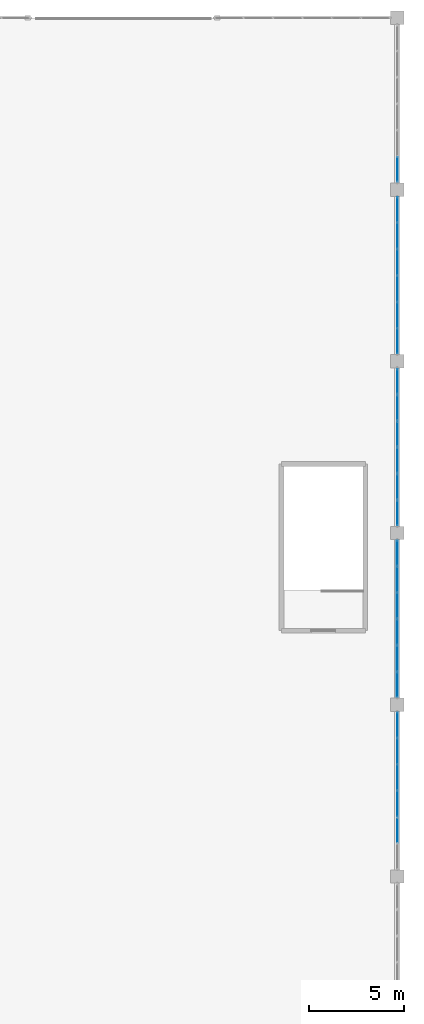
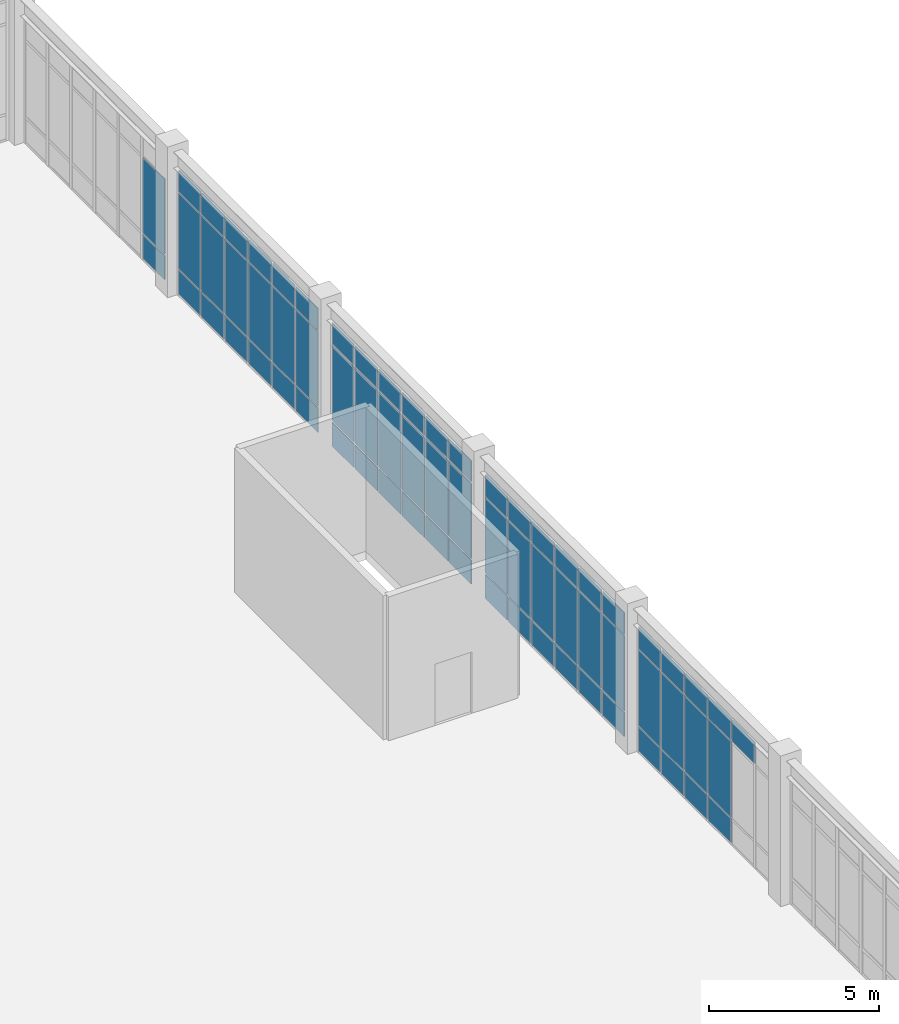
# One storey, part 63 of 80: 69 plates, 5 elements without a shape of their own.
"""IFC4 building model written with IfcOpenShell, lengths in metres."""

from ifc_helpers import new_model, si_unit, direction, frame, origin, origin_2d, place, context, subcontext, project, spatial, rectangle, extrude, material, layer, layer_set, type_object, element, aggregate, save


model = new_model("IFC4")

# Units and contexts
model_context = context("Model", 3, precision=1e-05, world=origin(), true_north=direction((0.0, 1.0)))
body_context = subcontext(model_context, "Body", "Model", "MODEL_VIEW")
ifc_project = project(units=[si_unit("LENGTHUNIT", "METRE"), si_unit("AREAUNIT", "SQUARE_METRE"), si_unit("VOLUMEUNIT", "CUBIC_METRE"), si_unit("PLANEANGLEUNIT", "RADIAN"), si_unit("MASSUNIT", "GRAM", prefix="KILO")], contexts=[model_context])

# Site, building, storey
site_placement = place(None, origin())
site = spatial("IfcSite", under=ifc_project, at=site_placement, CompositionType="ELEMENT")
building_placement = place(site_placement, origin())
building = spatial("IfcBuilding", under=site, at=building_placement, Name="Canglan Escarpment Cableway Terminal", CompositionType="ELEMENT")
storey_placement = place(building_placement, frame((0.0, 0.0, 19.199951171875)))
storey = spatial("IfcBuildingStorey", under=building, at=storey_placement, Name="L04", CompositionType="ELEMENT", Elevation=19.199951171875)

# Curtain wall, plates
ifc_material_1 = material(Name="Anodized bronze aluminium and Low-E double glazing", Category="aluminium")
curtain_wall_type = type_object("IfcCurtainWallType", Name="CW-BAY-8300x4550", PredefinedType="NOTDEFINED", material=ifc_material_1)
curtain_wall_1_placement = place(storey_placement, origin())
curtain_wall_1 = element("IfcCurtainWall", 1, at=curtain_wall_1_placement, inside=storey, type_object=curtain_wall_type, Name="Classical bay-between-piers glazed curtain wall CW-64", PredefinedType="NOTDEFINED")
ifc_material_2 = material(Name="Double-silver Low-E laminated insulating glass", Category="glass")
ifc_layer_1 = layer(ifc_material_2, 0.02392578125, Name="Double-silver Low-E laminated insulating glass")
ifc_layer_set_1 = layer_set([ifc_layer_1], Name="Double-silver Low-E laminated insulating glass")
plate_type_1 = type_object("IfcPlateType", Name="CWP-01", PredefinedType="CURTAIN_PANEL", material=ifc_layer_set_1)
plate_1_placement = place(storey_placement, frame((166.39990234375, 98.057861328125, 0.06494140625), z_axis=(0.0, 0.0, 1.0), x_axis=(0.0, 1.0, 0.0)))
plate_1 = element("IfcPlate", 2, at=plate_1_placement, type_object=plate_type_1, Name="CW-64 panel 1.1", PredefinedType="CURTAIN_PANEL", context=body_context, shape_type="SweptSolid", body=[
    extrude(rectangle(XDim=1.285888671875, YDim=0.02392578125, at=origin_2d()), origin(), (0.0, 0.0, 1.0), 0.8525390625),
])
plate_2_placement = place(storey_placement, frame((166.39990234375, 98.057861328125, 0.982421875), z_axis=(0.0, 0.0, 1.0), x_axis=(0.0, 1.0, 0.0)))
plate_2 = element("IfcPlate", 3, at=plate_2_placement, type_object=plate_type_1, Name="CW-64 panel 1.2", PredefinedType="CURTAIN_PANEL", context=body_context, shape_type="SweptSolid", body=[
    extrude(rectangle(XDim=1.285888671875, YDim=0.02392578125, at=origin_2d()), origin(), (0.0, 0.0, 1.0), 2.68603515625),
])
plate_3_placement = place(storey_placement, frame((166.39990234375, 98.057861328125, 3.733642578125), z_axis=(0.0, 0.0, 1.0), x_axis=(0.0, 1.0, 0.0)))
plate_3 = element("IfcPlate", 4, at=plate_3_placement, type_object=plate_type_1, Name="CW-64 panel 1.3", PredefinedType="CURTAIN_PANEL", context=body_context, shape_type="SweptSolid", body=[
    extrude(rectangle(XDim=1.285888671875, YDim=0.02392578125, at=origin_2d()), origin(), (0.0, 0.0, 1.0), 0.75244140625),
])
plate_4_placement = place(storey_placement, frame((166.39990234375, 99.425048828125, 0.06494140625), z_axis=(0.0, 0.0, 1.0), x_axis=(0.0, 1.0, 0.0)))
plate_4 = element("IfcPlate", 5, at=plate_4_placement, type_object=plate_type_1, Name="CW-64 panel 2.1", PredefinedType="CURTAIN_PANEL", context=body_context, shape_type="SweptSolid", body=[
    extrude(rectangle(XDim=1.318359375, YDim=0.02392578125, at=origin_2d()), origin(), (0.0, 0.0, 1.0), 0.8525390625),
])
plate_5_placement = place(storey_placement, frame((166.39990234375, 99.425048828125, 0.982421875), z_axis=(0.0, 0.0, 1.0), x_axis=(0.0, 1.0, 0.0)))
plate_5 = element("IfcPlate", 6, at=plate_5_placement, type_object=plate_type_1, Name="CW-64 panel 2.2", PredefinedType="CURTAIN_PANEL", context=body_context, shape_type="SweptSolid", body=[
    extrude(rectangle(XDim=1.318359375, YDim=0.02392578125, at=origin_2d()), origin(), (0.0, 0.0, 1.0), 2.68603515625),
])
plate_6_placement = place(storey_placement, frame((166.39990234375, 99.425048828125, 3.733642578125), z_axis=(0.0, 0.0, 1.0), x_axis=(0.0, 1.0, 0.0)))
plate_6 = element("IfcPlate", 7, at=plate_6_placement, type_object=plate_type_1, Name="CW-64 panel 2.3", PredefinedType="CURTAIN_PANEL", context=body_context, shape_type="SweptSolid", body=[
    extrude(rectangle(XDim=1.318359375, YDim=0.02392578125, at=origin_2d()), origin(), (0.0, 0.0, 1.0), 0.75244140625),
])
plate_7_placement = place(storey_placement, frame((166.39990234375, 100.808349609375, 0.06494140625), z_axis=(0.0, 0.0, 1.0), x_axis=(0.0, 1.0, 0.0)))
plate_7 = element("IfcPlate", 8, at=plate_7_placement, type_object=plate_type_1, Name="CW-64 panel 3.1", PredefinedType="CURTAIN_PANEL", context=body_context, shape_type="SweptSolid", body=[
    extrude(rectangle(XDim=1.318359375, YDim=0.02392578125, at=origin_2d()), origin(), (0.0, 0.0, 1.0), 0.8525390625),
])
plate_8_placement = place(storey_placement, frame((166.39990234375, 100.808349609375, 0.982421875), z_axis=(0.0, 0.0, 1.0), x_axis=(0.0, 1.0, 0.0)))
plate_8 = element("IfcPlate", 9, at=plate_8_placement, type_object=plate_type_1, Name="CW-64 panel 3.2", PredefinedType="CURTAIN_PANEL", context=body_context, shape_type="SweptSolid", body=[
    extrude(rectangle(XDim=1.318359375, YDim=0.02392578125, at=origin_2d()), origin(), (0.0, 0.0, 1.0), 2.68603515625),
])
plate_9_placement = place(storey_placement, frame((166.39990234375, 100.808349609375, 3.733642578125), z_axis=(0.0, 0.0, 1.0), x_axis=(0.0, 1.0, 0.0)))
plate_9 = element("IfcPlate", 10, at=plate_9_placement, type_object=plate_type_1, Name="CW-64 panel 3.3", PredefinedType="CURTAIN_PANEL", context=body_context, shape_type="SweptSolid", body=[
    extrude(rectangle(XDim=1.318359375, YDim=0.02392578125, at=origin_2d()), origin(), (0.0, 0.0, 1.0), 0.75244140625),
])
plate_10_placement = place(storey_placement, frame((166.39990234375, 102.191650390625, 0.06494140625), z_axis=(0.0, 0.0, 1.0), x_axis=(0.0, 1.0, 0.0)))
plate_10 = element("IfcPlate", 11, at=plate_10_placement, type_object=plate_type_1, Name="CW-64 panel 4.1", PredefinedType="CURTAIN_PANEL", context=body_context, shape_type="SweptSolid", body=[
    extrude(rectangle(XDim=1.318359375, YDim=0.02392578125, at=origin_2d()), origin(), (0.0, 0.0, 1.0), 0.8525390625),
])
plate_11_placement = place(storey_placement, frame((166.39990234375, 102.191650390625, 0.982421875), z_axis=(0.0, 0.0, 1.0), x_axis=(0.0, 1.0, 0.0)))
plate_11 = element("IfcPlate", 12, at=plate_11_placement, type_object=plate_type_1, Name="CW-64 panel 4.2", PredefinedType="CURTAIN_PANEL", context=body_context, shape_type="SweptSolid", body=[
    extrude(rectangle(XDim=1.318359375, YDim=0.02392578125, at=origin_2d()), origin(), (0.0, 0.0, 1.0), 2.68603515625),
])
plate_12_placement = place(storey_placement, frame((166.39990234375, 102.191650390625, 3.733642578125), z_axis=(0.0, 0.0, 1.0), x_axis=(0.0, 1.0, 0.0)))
plate_12 = element("IfcPlate", 13, at=plate_12_placement, type_object=plate_type_1, Name="CW-64 panel 4.3", PredefinedType="CURTAIN_PANEL", context=body_context, shape_type="SweptSolid", body=[
    extrude(rectangle(XDim=1.318359375, YDim=0.02392578125, at=origin_2d()), origin(), (0.0, 0.0, 1.0), 0.75244140625),
])
plate_13_placement = place(storey_placement, frame((166.39990234375, 103.574951171875, 0.06494140625), z_axis=(0.0, 0.0, 1.0), x_axis=(0.0, 1.0, 0.0)))
plate_13 = element("IfcPlate", 14, at=plate_13_placement, type_object=plate_type_1, Name="CW-64 panel 5.1", PredefinedType="CURTAIN_PANEL", context=body_context, shape_type="SweptSolid", body=[
    extrude(rectangle(XDim=1.318359375, YDim=0.02392578125, at=origin_2d()), origin(), (0.0, 0.0, 1.0), 0.8525390625),
])
plate_14_placement = place(storey_placement, frame((166.39990234375, 103.574951171875, 0.982421875), z_axis=(0.0, 0.0, 1.0), x_axis=(0.0, 1.0, 0.0)))
plate_14 = element("IfcPlate", 15, at=plate_14_placement, type_object=plate_type_1, Name="CW-64 panel 5.2", PredefinedType="CURTAIN_PANEL", context=body_context, shape_type="SweptSolid", body=[
    extrude(rectangle(XDim=1.318359375, YDim=0.02392578125, at=origin_2d()), origin(), (0.0, 0.0, 1.0), 2.68603515625),
])
plate_15_placement = place(storey_placement, frame((166.39990234375, 103.574951171875, 3.733642578125), z_axis=(0.0, 0.0, 1.0), x_axis=(0.0, 1.0, 0.0)))
plate_15 = element("IfcPlate", 16, at=plate_15_placement, type_object=plate_type_1, Name="CW-64 panel 5.3", PredefinedType="CURTAIN_PANEL", context=body_context, shape_type="SweptSolid", body=[
    extrude(rectangle(XDim=1.318359375, YDim=0.02392578125, at=origin_2d()), origin(), (0.0, 0.0, 1.0), 0.75244140625),
])
plate_16_placement = place(storey_placement, frame((166.39990234375, 104.942138671875, 0.06494140625), z_axis=(0.0, 0.0, 1.0), x_axis=(0.0, 1.0, 0.0)))
plate_16 = element("IfcPlate", 17, at=plate_16_placement, type_object=plate_type_1, Name="CW-64 panel 6.1", PredefinedType="CURTAIN_PANEL", context=body_context, shape_type="SweptSolid", body=[
    extrude(rectangle(XDim=1.285888671875, YDim=0.02392578125, at=origin_2d()), origin(), (0.0, 0.0, 1.0), 0.8525390625),
])
plate_17_placement = place(storey_placement, frame((166.39990234375, 104.942138671875, 0.982421875), z_axis=(0.0, 0.0, 1.0), x_axis=(0.0, 1.0, 0.0)))
plate_17 = element("IfcPlate", 18, at=plate_17_placement, type_object=plate_type_1, Name="CW-64 panel 6.2", PredefinedType="CURTAIN_PANEL", context=body_context, shape_type="SweptSolid", body=[
    extrude(rectangle(XDim=1.285888671875, YDim=0.02392578125, at=origin_2d()), origin(), (0.0, 0.0, 1.0), 2.68603515625),
])
plate_18_placement = place(storey_placement, frame((166.39990234375, 104.942138671875, 3.733642578125), z_axis=(0.0, 0.0, 1.0), x_axis=(0.0, 1.0, 0.0)))
plate_18 = element("IfcPlate", 19, at=plate_18_placement, type_object=plate_type_1, Name="CW-64 panel 6.3", PredefinedType="CURTAIN_PANEL", context=body_context, shape_type="SweptSolid", body=[
    extrude(rectangle(XDim=1.285888671875, YDim=0.02392578125, at=origin_2d()), origin(), (0.0, 0.0, 1.0), 0.75244140625),
])
aggregate(curtain_wall_1, [plate_1, plate_2, plate_3, plate_4, plate_5, plate_6, plate_7, plate_8, plate_9, plate_10, plate_11, plate_12, plate_13, plate_14, plate_15, plate_16, plate_17, plate_18])

curtain_wall_2_placement = place(storey_placement, origin())
curtain_wall_2 = element("IfcCurtainWall", 20, at=curtain_wall_2_placement, inside=storey, type_object=curtain_wall_type, Name="Classical bay-between-piers glazed curtain wall CW-64", PredefinedType="NOTDEFINED")
ifc_layer_2 = layer(ifc_material_2, 0.028076171875, Name="Double-silver Low-E laminated insulating glass")
ifc_layer_set_2 = layer_set([ifc_layer_2], Name="Double-silver Low-E laminated insulating glass")
plate_type_2 = type_object("IfcPlateType", Name="CWP-02", PredefinedType="CURTAIN_PANEL", material=ifc_layer_set_2)
plate_19_placement = place(storey_placement, frame((166.39990234375, 107.056640625, 0.05517578125), z_axis=(0.0, 0.0, 1.0), x_axis=(0.0, 1.0, 0.0)))
plate_19 = element("IfcPlate", 21, at=plate_19_placement, type_object=plate_type_2, Name="CW-64 panel 1.1", PredefinedType="CURTAIN_PANEL", context=body_context, shape_type="SweptSolid", body=[
    extrude(rectangle(XDim=1.293212890625, YDim=0.028076171875, at=origin_2d()), origin(), (0.0, 0.0, 1.0), 0.867431640625),
])
plate_20_placement = place(storey_placement, frame((166.39990234375, 107.056640625, 0.9775390625), z_axis=(0.0, 0.0, 1.0), x_axis=(0.0, 1.0, 0.0)))
plate_20 = element("IfcPlate", 22, at=plate_20_placement, type_object=plate_type_2, Name="CW-64 panel 1.2", PredefinedType="CURTAIN_PANEL", context=body_context, shape_type="SweptSolid", body=[
    extrude(rectangle(XDim=1.293212890625, YDim=0.028076171875, at=origin_2d()), origin(), (0.0, 0.0, 1.0), 2.696044921875),
])
plate_21_placement = place(storey_placement, frame((166.39990234375, 107.056640625, 3.728515625), z_axis=(0.0, 0.0, 1.0), x_axis=(0.0, 1.0, 0.0)))
plate_21 = element("IfcPlate", 23, at=plate_21_placement, type_object=plate_type_2, Name="CW-64 panel 1.3", PredefinedType="CURTAIN_PANEL", context=body_context, shape_type="SweptSolid", body=[
    extrude(rectangle(XDim=1.293212890625, YDim=0.028076171875, at=origin_2d()), origin(), (0.0, 0.0, 1.0), 0.767578125),
])
plate_22_placement = place(storey_placement, frame((166.39990234375, 108.425048828125, 0.05517578125), z_axis=(0.0, 0.0, 1.0), x_axis=(0.0, 1.0, 0.0)))
plate_22 = element("IfcPlate", 24, at=plate_22_placement, type_object=plate_type_2, Name="CW-64 panel 2.1", PredefinedType="CURTAIN_PANEL", context=body_context, shape_type="SweptSolid", body=[
    extrude(rectangle(XDim=1.3232421875, YDim=0.028076171875, at=origin_2d()), origin(), (0.0, 0.0, 1.0), 0.867431640625),
])
plate_23_placement = place(storey_placement, frame((166.39990234375, 108.425048828125, 0.9775390625), z_axis=(0.0, 0.0, 1.0), x_axis=(0.0, 1.0, 0.0)))
plate_23 = element("IfcPlate", 25, at=plate_23_placement, type_object=plate_type_2, Name="CW-64 panel 2.2", PredefinedType="CURTAIN_PANEL", context=body_context, shape_type="SweptSolid", body=[
    extrude(rectangle(XDim=1.3232421875, YDim=0.028076171875, at=origin_2d()), origin(), (0.0, 0.0, 1.0), 2.696044921875),
])
plate_24_placement = place(storey_placement, frame((166.39990234375, 108.425048828125, 3.728515625), z_axis=(0.0, 0.0, 1.0), x_axis=(0.0, 1.0, 0.0)))
plate_24 = element("IfcPlate", 26, at=plate_24_placement, type_object=plate_type_2, Name="CW-64 panel 2.3", PredefinedType="CURTAIN_PANEL", context=body_context, shape_type="SweptSolid", body=[
    extrude(rectangle(XDim=1.3232421875, YDim=0.028076171875, at=origin_2d()), origin(), (0.0, 0.0, 1.0), 0.767578125),
])
plate_25_placement = place(storey_placement, frame((166.39990234375, 109.808349609375, 0.05517578125), z_axis=(0.0, 0.0, 1.0), x_axis=(0.0, 1.0, 0.0)))
plate_25 = element("IfcPlate", 27, at=plate_25_placement, type_object=plate_type_2, Name="CW-64 panel 3.1", PredefinedType="CURTAIN_PANEL", context=body_context, shape_type="SweptSolid", body=[
    extrude(rectangle(XDim=1.3232421875, YDim=0.028076171875, at=origin_2d()), origin(), (0.0, 0.0, 1.0), 0.867431640625),
])
plate_26_placement = place(storey_placement, frame((166.39990234375, 109.808349609375, 0.9775390625), z_axis=(0.0, 0.0, 1.0), x_axis=(0.0, 1.0, 0.0)))
plate_26 = element("IfcPlate", 28, at=plate_26_placement, type_object=plate_type_2, Name="CW-64 panel 3.2", PredefinedType="CURTAIN_PANEL", context=body_context, shape_type="SweptSolid", body=[
    extrude(rectangle(XDim=1.3232421875, YDim=0.028076171875, at=origin_2d()), origin(), (0.0, 0.0, 1.0), 2.696044921875),
])
plate_27_placement = place(storey_placement, frame((166.39990234375, 109.808349609375, 3.728515625), z_axis=(0.0, 0.0, 1.0), x_axis=(0.0, 1.0, 0.0)))
plate_27 = element("IfcPlate", 29, at=plate_27_placement, type_object=plate_type_2, Name="CW-64 panel 3.3", PredefinedType="CURTAIN_PANEL", context=body_context, shape_type="SweptSolid", body=[
    extrude(rectangle(XDim=1.3232421875, YDim=0.028076171875, at=origin_2d()), origin(), (0.0, 0.0, 1.0), 0.767578125),
])
plate_28_placement = place(storey_placement, frame((166.39990234375, 111.191650390625, 0.05517578125), z_axis=(0.0, 0.0, 1.0), x_axis=(0.0, 1.0, 0.0)))
plate_28 = element("IfcPlate", 30, at=plate_28_placement, type_object=plate_type_2, Name="CW-64 panel 4.1", PredefinedType="CURTAIN_PANEL", context=body_context, shape_type="SweptSolid", body=[
    extrude(rectangle(XDim=1.3232421875, YDim=0.028076171875, at=origin_2d()), origin(), (0.0, 0.0, 1.0), 0.867431640625),
])
plate_29_placement = place(storey_placement, frame((166.39990234375, 111.191650390625, 0.9775390625), z_axis=(0.0, 0.0, 1.0), x_axis=(0.0, 1.0, 0.0)))
plate_29 = element("IfcPlate", 31, at=plate_29_placement, type_object=plate_type_2, Name="CW-64 panel 4.2", PredefinedType="CURTAIN_PANEL", context=body_context, shape_type="SweptSolid", body=[
    extrude(rectangle(XDim=1.3232421875, YDim=0.028076171875, at=origin_2d()), origin(), (0.0, 0.0, 1.0), 2.696044921875),
])
plate_30_placement = place(storey_placement, frame((166.39990234375, 111.191650390625, 3.728515625), z_axis=(0.0, 0.0, 1.0), x_axis=(0.0, 1.0, 0.0)))
plate_30 = element("IfcPlate", 32, at=plate_30_placement, type_object=plate_type_2, Name="CW-64 panel 4.3", PredefinedType="CURTAIN_PANEL", context=body_context, shape_type="SweptSolid", body=[
    extrude(rectangle(XDim=1.3232421875, YDim=0.028076171875, at=origin_2d()), origin(), (0.0, 0.0, 1.0), 0.767578125),
])
plate_31_placement = place(storey_placement, frame((166.39990234375, 112.574951171875, 0.05517578125), z_axis=(0.0, 0.0, 1.0), x_axis=(0.0, 1.0, 0.0)))
plate_31 = element("IfcPlate", 33, at=plate_31_placement, type_object=plate_type_2, Name="CW-64 panel 5.1", PredefinedType="CURTAIN_PANEL", context=body_context, shape_type="SweptSolid", body=[
    extrude(rectangle(XDim=1.3232421875, YDim=0.028076171875, at=origin_2d()), origin(), (0.0, 0.0, 1.0), 0.867431640625),
])
plate_32_placement = place(storey_placement, frame((166.39990234375, 112.574951171875, 0.9775390625), z_axis=(0.0, 0.0, 1.0), x_axis=(0.0, 1.0, 0.0)))
plate_32 = element("IfcPlate", 34, at=plate_32_placement, type_object=plate_type_2, Name="CW-64 panel 5.2", PredefinedType="CURTAIN_PANEL", context=body_context, shape_type="SweptSolid", body=[
    extrude(rectangle(XDim=1.3232421875, YDim=0.028076171875, at=origin_2d()), origin(), (0.0, 0.0, 1.0), 2.696044921875),
])
plate_33_placement = place(storey_placement, frame((166.39990234375, 112.574951171875, 3.728515625), z_axis=(0.0, 0.0, 1.0), x_axis=(0.0, 1.0, 0.0)))
plate_33 = element("IfcPlate", 35, at=plate_33_placement, type_object=plate_type_2, Name="CW-64 panel 5.3", PredefinedType="CURTAIN_PANEL", context=body_context, shape_type="SweptSolid", body=[
    extrude(rectangle(XDim=1.3232421875, YDim=0.028076171875, at=origin_2d()), origin(), (0.0, 0.0, 1.0), 0.767578125),
])
plate_34_placement = place(storey_placement, frame((166.39990234375, 113.943359375, 0.05517578125), z_axis=(0.0, 0.0, 1.0), x_axis=(0.0, 1.0, 0.0)))
plate_34 = element("IfcPlate", 36, at=plate_34_placement, type_object=plate_type_2, Name="CW-64 panel 6.1", PredefinedType="CURTAIN_PANEL", context=body_context, shape_type="SweptSolid", body=[
    extrude(rectangle(XDim=1.293212890625, YDim=0.028076171875, at=origin_2d()), origin(), (0.0, 0.0, 1.0), 0.867431640625),
])
plate_35_placement = place(storey_placement, frame((166.39990234375, 113.943359375, 0.9775390625), z_axis=(0.0, 0.0, 1.0), x_axis=(0.0, 1.0, 0.0)))
plate_35 = element("IfcPlate", 37, at=plate_35_placement, type_object=plate_type_2, Name="CW-64 panel 6.2", PredefinedType="CURTAIN_PANEL", context=body_context, shape_type="SweptSolid", body=[
    extrude(rectangle(XDim=1.293212890625, YDim=0.028076171875, at=origin_2d()), origin(), (0.0, 0.0, 1.0), 2.696044921875),
])
plate_36_placement = place(storey_placement, frame((166.39990234375, 113.943359375, 3.728515625), z_axis=(0.0, 0.0, 1.0), x_axis=(0.0, 1.0, 0.0)))
plate_36 = element("IfcPlate", 38, at=plate_36_placement, type_object=plate_type_2, Name="CW-64 panel 6.3", PredefinedType="CURTAIN_PANEL", context=body_context, shape_type="SweptSolid", body=[
    extrude(rectangle(XDim=1.293212890625, YDim=0.028076171875, at=origin_2d()), origin(), (0.0, 0.0, 1.0), 0.767578125),
])
aggregate(curtain_wall_2, [plate_19, plate_20, plate_21, plate_22, plate_23, plate_24, plate_25, plate_26, plate_27, plate_28, plate_29, plate_30, plate_31, plate_32, plate_33, plate_34, plate_35, plate_36])

curtain_wall_3_placement = place(storey_placement, origin())
curtain_wall_3 = element("IfcCurtainWall", 39, at=curtain_wall_3_placement, inside=storey, type_object=curtain_wall_type, Name="Classical bay-between-piers glazed curtain wall CW-64", PredefinedType="NOTDEFINED")
ifc_layer_3 = layer(ifc_material_2, 0.031982421875, Name="Double-silver Low-E laminated insulating glass")
ifc_layer_set_3 = layer_set([ifc_layer_3], Name="Double-silver Low-E laminated insulating glass")
plate_type_3 = type_object("IfcPlateType", Name="CWP-03", PredefinedType="CURTAIN_PANEL", material=ifc_layer_set_3)
plate_37_placement = place(storey_placement, frame((166.39990234375, 81.425048828125, 3.728515625), z_axis=(0.0, 0.0, 1.0), x_axis=(0.0, 1.0, 0.0)))
plate_37 = element("IfcPlate", 40, at=plate_37_placement, type_object=plate_type_3, Name="CW-64 panel 2.3", PredefinedType="CURTAIN_PANEL", context=body_context, shape_type="SweptSolid", body=[
    extrude(rectangle(XDim=1.3232421875, YDim=0.031982421875, at=origin_2d()), origin(), (0.0, 0.0, 1.0), 0.767578125),
])
plate_38_placement = place(storey_placement, frame((166.39990234375, 82.808349609375, 0.05517578125), z_axis=(0.0, 0.0, 1.0), x_axis=(0.0, 1.0, 0.0)))
plate_38 = element("IfcPlate", 41, at=plate_38_placement, type_object=plate_type_3, Name="CW-64 panel 3.1", PredefinedType="CURTAIN_PANEL", context=body_context, shape_type="SweptSolid", body=[
    extrude(rectangle(XDim=1.3232421875, YDim=0.031982421875, at=origin_2d()), origin(), (0.0, 0.0, 1.0), 0.867431640625),
])
plate_39_placement = place(storey_placement, frame((166.39990234375, 82.808349609375, 0.9775390625), z_axis=(0.0, 0.0, 1.0), x_axis=(0.0, 1.0, 0.0)))
plate_39 = element("IfcPlate", 42, at=plate_39_placement, type_object=plate_type_3, Name="CW-64 panel 3.2", PredefinedType="CURTAIN_PANEL", context=body_context, shape_type="SweptSolid", body=[
    extrude(rectangle(XDim=1.3232421875, YDim=0.031982421875, at=origin_2d()), origin(), (0.0, 0.0, 1.0), 2.696044921875),
])
plate_40_placement = place(storey_placement, frame((166.39990234375, 82.808349609375, 3.728515625), z_axis=(0.0, 0.0, 1.0), x_axis=(0.0, 1.0, 0.0)))
plate_40 = element("IfcPlate", 43, at=plate_40_placement, type_object=plate_type_3, Name="CW-64 panel 3.3", PredefinedType="CURTAIN_PANEL", context=body_context, shape_type="SweptSolid", body=[
    extrude(rectangle(XDim=1.3232421875, YDim=0.031982421875, at=origin_2d()), origin(), (0.0, 0.0, 1.0), 0.767578125),
])
plate_41_placement = place(storey_placement, frame((166.39990234375, 84.191650390625, 0.05517578125), z_axis=(0.0, 0.0, 1.0), x_axis=(0.0, 1.0, 0.0)))
plate_41 = element("IfcPlate", 44, at=plate_41_placement, type_object=plate_type_3, Name="CW-64 panel 4.1", PredefinedType="CURTAIN_PANEL", context=body_context, shape_type="SweptSolid", body=[
    extrude(rectangle(XDim=1.3232421875, YDim=0.031982421875, at=origin_2d()), origin(), (0.0, 0.0, 1.0), 0.867431640625),
])
plate_42_placement = place(storey_placement, frame((166.39990234375, 84.191650390625, 0.9775390625), z_axis=(0.0, 0.0, 1.0), x_axis=(0.0, 1.0, 0.0)))
plate_42 = element("IfcPlate", 45, at=plate_42_placement, type_object=plate_type_3, Name="CW-64 panel 4.2", PredefinedType="CURTAIN_PANEL", context=body_context, shape_type="SweptSolid", body=[
    extrude(rectangle(XDim=1.3232421875, YDim=0.031982421875, at=origin_2d()), origin(), (0.0, 0.0, 1.0), 2.696044921875),
])
plate_43_placement = place(storey_placement, frame((166.39990234375, 84.191650390625, 3.728515625), z_axis=(0.0, 0.0, 1.0), x_axis=(0.0, 1.0, 0.0)))
plate_43 = element("IfcPlate", 46, at=plate_43_placement, type_object=plate_type_3, Name="CW-64 panel 4.3", PredefinedType="CURTAIN_PANEL", context=body_context, shape_type="SweptSolid", body=[
    extrude(rectangle(XDim=1.3232421875, YDim=0.031982421875, at=origin_2d()), origin(), (0.0, 0.0, 1.0), 0.767578125),
])
plate_44_placement = place(storey_placement, frame((166.39990234375, 85.574951171875, 0.05517578125), z_axis=(0.0, 0.0, 1.0), x_axis=(0.0, 1.0, 0.0)))
plate_44 = element("IfcPlate", 47, at=plate_44_placement, type_object=plate_type_3, Name="CW-64 panel 5.1", PredefinedType="CURTAIN_PANEL", context=body_context, shape_type="SweptSolid", body=[
    extrude(rectangle(XDim=1.3232421875, YDim=0.031982421875, at=origin_2d()), origin(), (0.0, 0.0, 1.0), 0.867431640625),
])
plate_45_placement = place(storey_placement, frame((166.39990234375, 85.574951171875, 0.9775390625), z_axis=(0.0, 0.0, 1.0), x_axis=(0.0, 1.0, 0.0)))
plate_45 = element("IfcPlate", 48, at=plate_45_placement, type_object=plate_type_3, Name="CW-64 panel 5.2", PredefinedType="CURTAIN_PANEL", context=body_context, shape_type="SweptSolid", body=[
    extrude(rectangle(XDim=1.3232421875, YDim=0.031982421875, at=origin_2d()), origin(), (0.0, 0.0, 1.0), 2.696044921875),
])
plate_46_placement = place(storey_placement, frame((166.39990234375, 85.574951171875, 3.728515625), z_axis=(0.0, 0.0, 1.0), x_axis=(0.0, 1.0, 0.0)))
plate_46 = element("IfcPlate", 49, at=plate_46_placement, type_object=plate_type_3, Name="CW-64 panel 5.3", PredefinedType="CURTAIN_PANEL", context=body_context, shape_type="SweptSolid", body=[
    extrude(rectangle(XDim=1.3232421875, YDim=0.031982421875, at=origin_2d()), origin(), (0.0, 0.0, 1.0), 0.767578125),
])
plate_47_placement = place(storey_placement, frame((166.39990234375, 86.943359375, 0.05517578125), z_axis=(0.0, 0.0, 1.0), x_axis=(0.0, 1.0, 0.0)))
plate_47 = element("IfcPlate", 50, at=plate_47_placement, type_object=plate_type_3, Name="CW-64 panel 6.1", PredefinedType="CURTAIN_PANEL", context=body_context, shape_type="SweptSolid", body=[
    extrude(rectangle(XDim=1.293212890625, YDim=0.031982421875, at=origin_2d()), origin(), (0.0, 0.0, 1.0), 0.867431640625),
])
plate_48_placement = place(storey_placement, frame((166.39990234375, 86.943359375, 0.9775390625), z_axis=(0.0, 0.0, 1.0), x_axis=(0.0, 1.0, 0.0)))
plate_48 = element("IfcPlate", 51, at=plate_48_placement, type_object=plate_type_3, Name="CW-64 panel 6.2", PredefinedType="CURTAIN_PANEL", context=body_context, shape_type="SweptSolid", body=[
    extrude(rectangle(XDim=1.293212890625, YDim=0.031982421875, at=origin_2d()), origin(), (0.0, 0.0, 1.0), 2.696044921875),
])
plate_49_placement = place(storey_placement, frame((166.39990234375, 86.943359375, 3.728515625), z_axis=(0.0, 0.0, 1.0), x_axis=(0.0, 1.0, 0.0)))
plate_49 = element("IfcPlate", 52, at=plate_49_placement, type_object=plate_type_3, Name="CW-64 panel 6.3", PredefinedType="CURTAIN_PANEL", context=body_context, shape_type="SweptSolid", body=[
    extrude(rectangle(XDim=1.293212890625, YDim=0.031982421875, at=origin_2d()), origin(), (0.0, 0.0, 1.0), 0.767578125),
])
aggregate(curtain_wall_3, [plate_37, plate_38, plate_39, plate_40, plate_41, plate_42, plate_43, plate_44, plate_45, plate_46, plate_47, plate_48, plate_49])

curtain_wall_4_placement = place(storey_placement, origin())
curtain_wall_4 = element("IfcCurtainWall", 53, at=curtain_wall_4_placement, inside=storey, type_object=curtain_wall_type, Name="Classical bay-between-piers glazed curtain wall CW-64", PredefinedType="NOTDEFINED")
plate_50_placement = place(storey_placement, frame((166.39990234375, 116.057861328125, 0.06005859375), z_axis=(0.0, 0.0, 1.0), x_axis=(0.0, 1.0, 0.0)))
plate_50 = element("IfcPlate", 54, at=plate_50_placement, type_object=plate_type_3, Name="CW-64 panel 1.1", PredefinedType="CURTAIN_PANEL", context=body_context, shape_type="SweptSolid", body=[
    extrude(rectangle(XDim=1.285888671875, YDim=0.031982421875, at=origin_2d()), origin(), (0.0, 0.0, 1.0), 0.860107421875),
])
plate_51_placement = place(storey_placement, frame((166.39990234375, 116.057861328125, 0.97998046875), z_axis=(0.0, 0.0, 1.0), x_axis=(0.0, 1.0, 0.0)))
plate_51 = element("IfcPlate", 55, at=plate_51_placement, type_object=plate_type_3, Name="CW-64 panel 1.2", PredefinedType="CURTAIN_PANEL", context=body_context, shape_type="SweptSolid", body=[
    extrude(rectangle(XDim=1.285888671875, YDim=0.031982421875, at=origin_2d()), origin(), (0.0, 0.0, 1.0), 2.69091796875),
])
aggregate(curtain_wall_4, [plate_50, plate_51])

curtain_wall_5_placement = place(storey_placement, origin())
curtain_wall_5 = element("IfcCurtainWall", 56, at=curtain_wall_5_placement, inside=storey, type_object=curtain_wall_type, Name="Classical bay-between-piers glazed curtain wall CW-64", PredefinedType="NOTDEFINED")
ifc_layer_4 = layer(ifc_material_2, 0.035888671875, Name="Double-silver Low-E laminated insulating glass")
ifc_layer_set_4 = layer_set([ifc_layer_4], Name="Double-silver Low-E laminated insulating glass")
plate_type_4 = type_object("IfcPlateType", Name="CWP-04", PredefinedType="CURTAIN_PANEL", material=ifc_layer_set_4)
plate_52_placement = place(storey_placement, frame((166.39990234375, 89.057861328125, 0.06005859375), z_axis=(0.0, 0.0, 1.0), x_axis=(0.0, 1.0, 0.0)))
plate_52 = element("IfcPlate", 57, at=plate_52_placement, type_object=plate_type_4, Name="CW-64 panel 1.1", PredefinedType="CURTAIN_PANEL", context=body_context, shape_type="SweptSolid", body=[
    extrude(rectangle(XDim=1.285888671875, YDim=0.035888671875, at=origin_2d()), origin(), (0.0, 0.0, 1.0), 0.860107421875),
])
plate_53_placement = place(storey_placement, frame((166.39990234375, 89.057861328125, 0.97998046875), z_axis=(0.0, 0.0, 1.0), x_axis=(0.0, 1.0, 0.0)))
plate_53 = element("IfcPlate", 58, at=plate_53_placement, type_object=plate_type_4, Name="CW-64 panel 1.2", PredefinedType="CURTAIN_PANEL", context=body_context, shape_type="SweptSolid", body=[
    extrude(rectangle(XDim=1.285888671875, YDim=0.035888671875, at=origin_2d()), origin(), (0.0, 0.0, 1.0), 2.69091796875),
])
plate_54_placement = place(storey_placement, frame((166.39990234375, 89.057861328125, 3.73095703125), z_axis=(0.0, 0.0, 1.0), x_axis=(0.0, 1.0, 0.0)))
plate_54 = element("IfcPlate", 59, at=plate_54_placement, type_object=plate_type_4, Name="CW-64 panel 1.3", PredefinedType="CURTAIN_PANEL", context=body_context, shape_type="SweptSolid", body=[
    extrude(rectangle(XDim=1.285888671875, YDim=0.035888671875, at=origin_2d()), origin(), (0.0, 0.0, 1.0), 0.760009765625),
])
plate_55_placement = place(storey_placement, frame((166.39990234375, 90.425048828125, 0.06005859375), z_axis=(0.0, 0.0, 1.0), x_axis=(0.0, 1.0, 0.0)))
plate_55 = element("IfcPlate", 60, at=plate_55_placement, type_object=plate_type_4, Name="CW-64 panel 2.1", PredefinedType="CURTAIN_PANEL", context=body_context, shape_type="SweptSolid", body=[
    extrude(rectangle(XDim=1.318359375, YDim=0.035888671875, at=origin_2d()), origin(), (0.0, 0.0, 1.0), 0.860107421875),
])
plate_56_placement = place(storey_placement, frame((166.39990234375, 90.425048828125, 0.97998046875), z_axis=(0.0, 0.0, 1.0), x_axis=(0.0, 1.0, 0.0)))
plate_56 = element("IfcPlate", 61, at=plate_56_placement, type_object=plate_type_4, Name="CW-64 panel 2.2", PredefinedType="CURTAIN_PANEL", context=body_context, shape_type="SweptSolid", body=[
    extrude(rectangle(XDim=1.318359375, YDim=0.035888671875, at=origin_2d()), origin(), (0.0, 0.0, 1.0), 2.69091796875),
])
plate_57_placement = place(storey_placement, frame((166.39990234375, 90.425048828125, 3.73095703125), z_axis=(0.0, 0.0, 1.0), x_axis=(0.0, 1.0, 0.0)))
plate_57 = element("IfcPlate", 62, at=plate_57_placement, type_object=plate_type_4, Name="CW-64 panel 2.3", PredefinedType="CURTAIN_PANEL", context=body_context, shape_type="SweptSolid", body=[
    extrude(rectangle(XDim=1.318359375, YDim=0.035888671875, at=origin_2d()), origin(), (0.0, 0.0, 1.0), 0.760009765625),
])
plate_58_placement = place(storey_placement, frame((166.39990234375, 91.808349609375, 0.06005859375), z_axis=(0.0, 0.0, 1.0), x_axis=(0.0, 1.0, 0.0)))
plate_58 = element("IfcPlate", 63, at=plate_58_placement, type_object=plate_type_4, Name="CW-64 panel 3.1", PredefinedType="CURTAIN_PANEL", context=body_context, shape_type="SweptSolid", body=[
    extrude(rectangle(XDim=1.318359375, YDim=0.035888671875, at=origin_2d()), origin(), (0.0, 0.0, 1.0), 0.860107421875),
])
plate_59_placement = place(storey_placement, frame((166.39990234375, 91.808349609375, 0.97998046875), z_axis=(0.0, 0.0, 1.0), x_axis=(0.0, 1.0, 0.0)))
plate_59 = element("IfcPlate", 64, at=plate_59_placement, type_object=plate_type_4, Name="CW-64 panel 3.2", PredefinedType="CURTAIN_PANEL", context=body_context, shape_type="SweptSolid", body=[
    extrude(rectangle(XDim=1.318359375, YDim=0.035888671875, at=origin_2d()), origin(), (0.0, 0.0, 1.0), 2.69091796875),
])
plate_60_placement = place(storey_placement, frame((166.39990234375, 91.808349609375, 3.73095703125), z_axis=(0.0, 0.0, 1.0), x_axis=(0.0, 1.0, 0.0)))
plate_60 = element("IfcPlate", 65, at=plate_60_placement, type_object=plate_type_4, Name="CW-64 panel 3.3", PredefinedType="CURTAIN_PANEL", context=body_context, shape_type="SweptSolid", body=[
    extrude(rectangle(XDim=1.318359375, YDim=0.035888671875, at=origin_2d()), origin(), (0.0, 0.0, 1.0), 0.760009765625),
])
plate_61_placement = place(storey_placement, frame((166.39990234375, 93.191650390625, 0.06005859375), z_axis=(0.0, 0.0, 1.0), x_axis=(0.0, 1.0, 0.0)))
plate_61 = element("IfcPlate", 66, at=plate_61_placement, type_object=plate_type_4, Name="CW-64 panel 4.1", PredefinedType="CURTAIN_PANEL", context=body_context, shape_type="SweptSolid", body=[
    extrude(rectangle(XDim=1.318359375, YDim=0.035888671875, at=origin_2d()), origin(), (0.0, 0.0, 1.0), 0.860107421875),
])
plate_62_placement = place(storey_placement, frame((166.39990234375, 93.191650390625, 0.97998046875), z_axis=(0.0, 0.0, 1.0), x_axis=(0.0, 1.0, 0.0)))
plate_62 = element("IfcPlate", 67, at=plate_62_placement, type_object=plate_type_4, Name="CW-64 panel 4.2", PredefinedType="CURTAIN_PANEL", context=body_context, shape_type="SweptSolid", body=[
    extrude(rectangle(XDim=1.318359375, YDim=0.035888671875, at=origin_2d()), origin(), (0.0, 0.0, 1.0), 2.69091796875),
])
plate_63_placement = place(storey_placement, frame((166.39990234375, 93.191650390625, 3.73095703125), z_axis=(0.0, 0.0, 1.0), x_axis=(0.0, 1.0, 0.0)))
plate_63 = element("IfcPlate", 68, at=plate_63_placement, type_object=plate_type_4, Name="CW-64 panel 4.3", PredefinedType="CURTAIN_PANEL", context=body_context, shape_type="SweptSolid", body=[
    extrude(rectangle(XDim=1.318359375, YDim=0.035888671875, at=origin_2d()), origin(), (0.0, 0.0, 1.0), 0.760009765625),
])
plate_64_placement = place(storey_placement, frame((166.39990234375, 94.574951171875, 0.06005859375), z_axis=(0.0, 0.0, 1.0), x_axis=(0.0, 1.0, 0.0)))
plate_64 = element("IfcPlate", 69, at=plate_64_placement, type_object=plate_type_4, Name="CW-64 panel 5.1", PredefinedType="CURTAIN_PANEL", context=body_context, shape_type="SweptSolid", body=[
    extrude(rectangle(XDim=1.318359375, YDim=0.035888671875, at=origin_2d()), origin(), (0.0, 0.0, 1.0), 0.860107421875),
])
plate_65_placement = place(storey_placement, frame((166.39990234375, 94.574951171875, 0.97998046875), z_axis=(0.0, 0.0, 1.0), x_axis=(0.0, 1.0, 0.0)))
plate_65 = element("IfcPlate", 70, at=plate_65_placement, type_object=plate_type_4, Name="CW-64 panel 5.2", PredefinedType="CURTAIN_PANEL", context=body_context, shape_type="SweptSolid", body=[
    extrude(rectangle(XDim=1.318359375, YDim=0.035888671875, at=origin_2d()), origin(), (0.0, 0.0, 1.0), 2.69091796875),
])
plate_66_placement = place(storey_placement, frame((166.39990234375, 94.574951171875, 3.73095703125), z_axis=(0.0, 0.0, 1.0), x_axis=(0.0, 1.0, 0.0)))
plate_66 = element("IfcPlate", 71, at=plate_66_placement, type_object=plate_type_4, Name="CW-64 panel 5.3", PredefinedType="CURTAIN_PANEL", context=body_context, shape_type="SweptSolid", body=[
    extrude(rectangle(XDim=1.318359375, YDim=0.035888671875, at=origin_2d()), origin(), (0.0, 0.0, 1.0), 0.760009765625),
])
plate_67_placement = place(storey_placement, frame((166.39990234375, 95.942138671875, 0.06005859375), z_axis=(0.0, 0.0, 1.0), x_axis=(0.0, 1.0, 0.0)))
plate_67 = element("IfcPlate", 72, at=plate_67_placement, type_object=plate_type_4, Name="CW-64 panel 6.1", PredefinedType="CURTAIN_PANEL", context=body_context, shape_type="SweptSolid", body=[
    extrude(rectangle(XDim=1.285888671875, YDim=0.035888671875, at=origin_2d()), origin(), (0.0, 0.0, 1.0), 0.860107421875),
])
plate_68_placement = place(storey_placement, frame((166.39990234375, 95.942138671875, 0.97998046875), z_axis=(0.0, 0.0, 1.0), x_axis=(0.0, 1.0, 0.0)))
plate_68 = element("IfcPlate", 73, at=plate_68_placement, type_object=plate_type_4, Name="CW-64 panel 6.2", PredefinedType="CURTAIN_PANEL", context=body_context, shape_type="SweptSolid", body=[
    extrude(rectangle(XDim=1.285888671875, YDim=0.035888671875, at=origin_2d()), origin(), (0.0, 0.0, 1.0), 2.69091796875),
])
plate_69_placement = place(storey_placement, frame((166.39990234375, 95.942138671875, 3.73095703125), z_axis=(0.0, 0.0, 1.0), x_axis=(0.0, 1.0, 0.0)))
plate_69 = element("IfcPlate", 74, at=plate_69_placement, type_object=plate_type_4, Name="CW-64 panel 6.3", PredefinedType="CURTAIN_PANEL", context=body_context, shape_type="SweptSolid", body=[
    extrude(rectangle(XDim=1.285888671875, YDim=0.035888671875, at=origin_2d()), origin(), (0.0, 0.0, 1.0), 0.760009765625),
])
aggregate(curtain_wall_5, [plate_52, plate_53, plate_54, plate_55, plate_56, plate_57, plate_58, plate_59, plate_60, plate_61, plate_62, plate_63, plate_64, plate_65, plate_66, plate_67, plate_68, plate_69])

save(model, "model.ifc")
